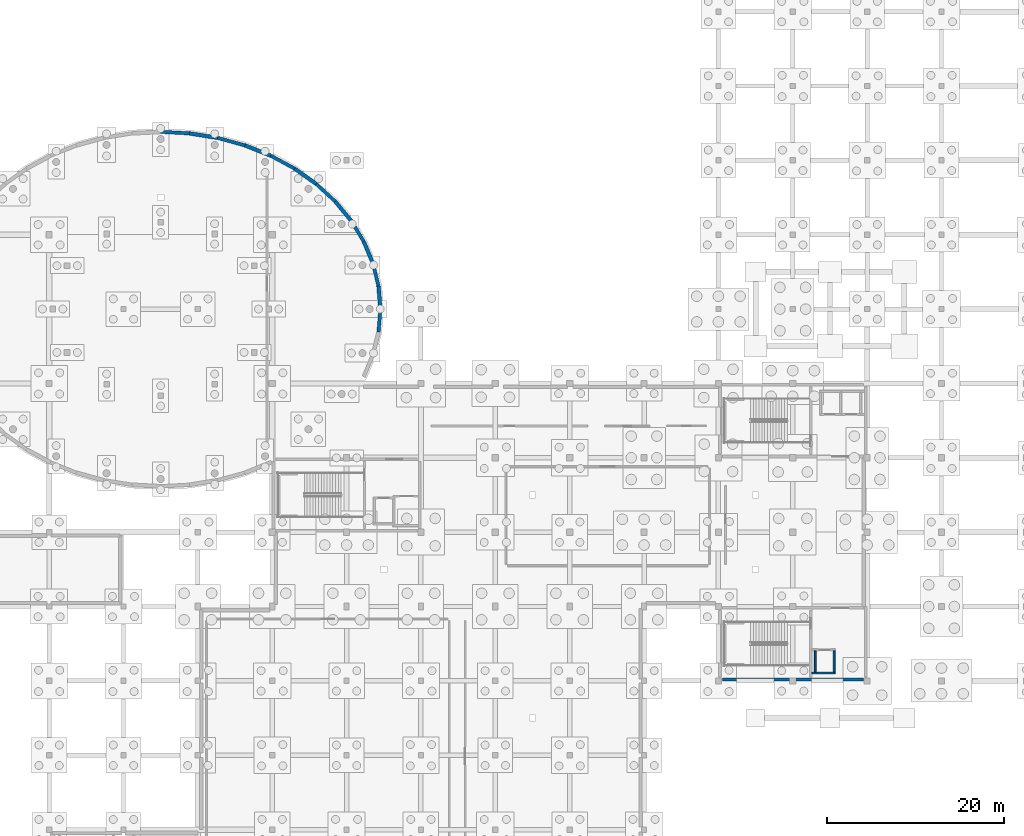
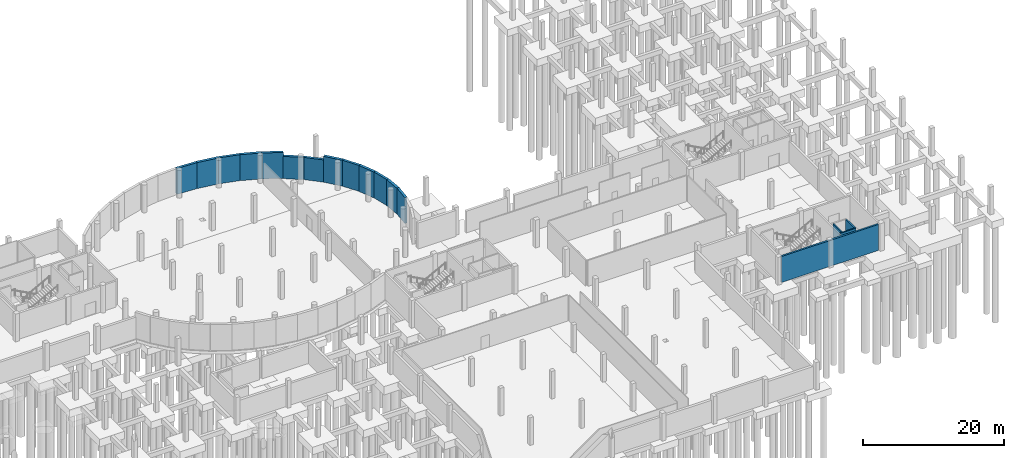
# One storey, part 17 of 24: 17 walls.
"""IFC4 building model written with IfcOpenShell, lengths in metres."""

from ifc_helpers import new_model, si_unit, derived_unit, direction, frame, frame_2d, origin, place, context, subcontext, project, spatial, rectangle, extrude, material, layer, layer_set, type_object, element, save


model = new_model("IFC4")

# Units and contexts
model_context = context("Model", 3, precision=1e-05, world=origin(), true_north=direction((0.0, 1.0)))
body_context = subcontext(model_context, "Body", "Model", "MODEL_VIEW")
ifc_project = project(units=[si_unit("LENGTHUNIT", "METRE"), si_unit("AREAUNIT", "SQUARE_METRE"), si_unit("VOLUMEUNIT", "CUBIC_METRE"), si_unit("PLANEANGLEUNIT", "RADIAN"), si_unit("MASSUNIT", "GRAM", prefix="KILO"), derived_unit("THERMALTRANSMITTANCEUNIT", [(si_unit("POWERUNIT", "WATT"), 1), (si_unit("LENGTHUNIT", "METRE"), -2), (si_unit("THERMODYNAMICTEMPERATUREUNIT", "KELVIN"), -1)])], contexts=[model_context])

# Site, building, storey
site_placement = place(None, origin())
site = spatial("IfcSite", under=ifc_project, at=site_placement, CompositionType="ELEMENT")
building_placement = place(site_placement, origin())
building = spatial("IfcBuilding", under=site, at=building_placement, Name="Elbkamm Science Centre", CompositionType="ELEMENT")
storey_placement = place(building_placement, frame((0.0, 0.0, -4.800048828125)))
storey = spatial("IfcBuildingStorey", under=building, at=storey_placement, Name="B01", CompositionType="ELEMENT", Elevation=-4.800048828125)

# Walls
ifc_material_1 = material(Name="Reinforced concrete C40/50", Category="concrete")
ifc_layer_1 = layer(ifc_material_1, 0.300048828125)
ifc_layer_set_1 = layer_set([ifc_layer_1], Name="Reinforced concrete C40/50")
wall_type_1 = type_object("IfcWallType", Name="WL-CORE-300", PredefinedType="SHEAR", material=ifc_layer_set_1)
wall_1_placement = place(storey_placement, frame((126.449951171875, 25.35009765625, 0.0), z_axis=(0.0, 0.0, 1.0), x_axis=(1.0, 0.0, 0.0)))
element("IfcWall", 1, at=wall_1_placement, inside=storey, type_object=wall_type_1, Name="B01 Core C4 Southeast Workshops and Library Core Shear Wall S", PredefinedType="SHEAR", context=body_context, shape_type="SweptSolid", body=[
    extrude(rectangle(XDim=15.929931640625, YDim=0.300048828125, at=frame_2d((7.96484375, 0.0))), origin(), (0.0, 0.0, 1.0), 4.5),
])
ifc_material_2 = material(Name="Waterproof concrete C35/45", Category="concrete")
ifc_layer_2 = layer(ifc_material_2, 0.3798828125)
ifc_layer_set_2 = layer_set([ifc_layer_2], Name="Waterproof concrete C35/45")
wall_type_2 = type_object("IfcWallType", Name="WL-RET-380", PredefinedType="USERDEFINED", material=ifc_layer_set_2)
wall_2_placement = place(storey_placement, frame((63.0, 87.219482421875, 0.0), z_axis=(0.0, 0.0, 1.0), x_axis=(0.998595559221, -0.052980270896, 0.0)))
element("IfcWall", 2, at=wall_2_placement, inside=storey, type_object=wall_type_2, Name="B01 Exterior Wall 0053", ObjectType="RETAININGWALL", PredefinedType="USERDEFINED", context=body_context, shape_type="SweptSolid", body=[
    extrude(rectangle(XDim=3.25341796875, YDim=0.3798828125, at=frame_2d((1.626708984375, 0.0))), origin(), (0.0, 0.0, 1.0), 4.5),
])
wall_3_placement = place(storey_placement, frame((69.44140625, 86.532958984375, 0.0), z_axis=(0.0, 0.0, 1.0), x_axis=(0.964254212891, -0.264978891466, 0.0)))
element("IfcWall", 3, at=wall_3_placement, inside=storey, type_object=wall_type_2, Name="B01 Exterior Wall 0055", ObjectType="RETAININGWALL", PredefinedType="USERDEFINED", context=body_context, shape_type="SweptSolid", body=[
    extrude(rectangle(XDim=3.1953125, YDim=0.3798828125, at=frame_2d((1.59765625, 0.0))), origin(), (0.0, 0.0, 1.0), 4.5),
])
wall_4_placement = place(storey_placement, frame((75.438720703125, 84.522216796875, 0.0), z_axis=(0.0, 0.0, 1.0), x_axis=(0.879573445019, -0.475763128897, 0.0)))
element("IfcWall", 4, at=wall_4_placement, inside=storey, type_object=wall_type_2, Name="B01 Exterior Wall 0057", ObjectType="RETAININGWALL", PredefinedType="USERDEFINED", context=body_context, shape_type="SweptSolid", body=[
    extrude(rectangle(XDim=3.07080078125, YDim=0.3798828125, at=frame_2d((1.535400390625, 0.0))), origin(), (0.0, 0.0, 1.0), 4.5),
])
wall_5_placement = place(storey_placement, frame((80.579345703125, 81.329345703125, 0.0), z_axis=(0.0, 0.0, 1.0), x_axis=(0.734755157667, -0.678332409872, 0.0)))
element("IfcWall", 5, at=wall_5_placement, inside=storey, type_object=wall_type_2, Name="B01 Exterior Wall 0059", ObjectType="RETAININGWALL", PredefinedType="USERDEFINED", context=body_context, shape_type="SweptSolid", body=[
    extrude(rectangle(XDim=2.90771484375, YDim=0.3798828125, at=frame_2d((1.453857421875, 0.0))), origin(), (0.0, 0.0, 1.0), 3.85009765625),
])
wall_6_placement = place(storey_placement, frame((84.513427734375, 77.17919921875, 0.0), z_axis=(0.0, 0.0, 1.0), x_axis=(0.520248635804, -0.854014845857, 0.0)))
element("IfcWall", 6, at=wall_6_placement, inside=storey, type_object=wall_type_2, Name="B01 Exterior Wall 0061", ObjectType="RETAININGWALL", PredefinedType="USERDEFINED", context=body_context, shape_type="SweptSolid", body=[
    extrude(rectangle(XDim=2.74658203125, YDim=0.3798828125, at=frame_2d((1.373291015625, 0.0))), origin(), (0.0, 0.0, 1.0), 4.5),
])
wall_7_placement = place(storey_placement, frame((86.9794921875, 72.3603515625, 0.0), z_axis=(0.0, 0.0, 1.0), x_axis=(0.238587589833, -0.971120982153, 0.0)))
element("IfcWall", 7, at=wall_7_placement, inside=storey, type_object=wall_type_2, Name="B01 Exterior Wall 0063", ObjectType="RETAININGWALL", PredefinedType="USERDEFINED", context=body_context, shape_type="SweptSolid", body=[
    extrude(rectangle(XDim=2.635009765625, YDim=0.3798828125, at=frame_2d((1.3173828125, 0.0))), origin(), (0.0, 0.0, 1.0), 4.5),
])
wall_8_placement = place(storey_placement, frame((87.81884765625, 67.199951171875, 0.0), z_axis=(0.0, 0.0, 1.0), x_axis=(-0.080722941736, -0.996736578378, 0.0)))
element("IfcWall", 8, at=wall_8_placement, inside=storey, type_object=wall_type_2, Name="B01 Exterior Wall 0065", ObjectType="RETAININGWALL", PredefinedType="USERDEFINED", context=body_context, shape_type="SweptSolid", body=[
    extrude(rectangle(XDim=2.610107421875, YDim=0.3798828125, at=frame_2d((1.30517578125, 0.0))), origin(), (0.0, 0.0, 1.0), 4.5),
])
ifc_layer_3 = layer(ifc_material_2, 0.419921875)
ifc_layer_set_3 = layer_set([ifc_layer_3], Name="Waterproof concrete C35/45")
wall_type_3 = type_object("IfcWallType", Name="WL-RET-420", PredefinedType="USERDEFINED", material=ifc_layer_set_3)
wall_9_placement = place(storey_placement, frame((66.248779296875, 87.047119140625, 0.0), z_axis=(0.0, 0.0, 1.0), x_axis=(0.987278994565, -0.158997443034, 0.0)))
element("IfcWall", 9, at=wall_9_placement, inside=storey, type_object=wall_type_3, Name="B01 Exterior Wall 0054", ObjectType="RETAININGWALL", PredefinedType="USERDEFINED", context=body_context, shape_type="SweptSolid", body=[
    extrude(rectangle(XDim=3.233642578125, YDim=0.419921875, at=frame_2d((1.61669921875, 0.0))), origin(), (0.0, 0.0, 1.0), 4.5),
])
wall_10_placement = place(storey_placement, frame((72.5224609375, 85.686279296875, 0.0), z_axis=(0.0, 0.0, 1.0), x_axis=(0.928744558403, -0.370720305941, 0.0)))
element("IfcWall", 10, at=wall_10_placement, inside=storey, type_object=wall_type_3, Name="B01 Exterior Wall 0056", ObjectType="RETAININGWALL", PredefinedType="USERDEFINED", context=body_context, shape_type="SweptSolid", body=[
    extrude(rectangle(XDim=3.139892578125, YDim=0.419921875, at=frame_2d((1.56982421875, 0.0))), origin(), (0.0, 0.0, 1.0), 4.5),
])
wall_11_placement = place(storey_placement, frame((78.1396484375, 83.061279296875, 0.0), z_axis=(0.0, 0.0, 1.0), x_axis=(0.815422656684, -0.578866038879, 0.0)))
element("IfcWall", 11, at=wall_11_placement, inside=storey, type_object=wall_type_3, Name="B01 Exterior Wall 0058", ObjectType="RETAININGWALL", PredefinedType="USERDEFINED", context=body_context, shape_type="SweptSolid", body=[
    extrude(rectangle(XDim=2.991943359375, YDim=0.419921875, at=frame_2d((1.49609375, 0.0))), origin(), (0.0, 0.0, 1.0), 3.85009765625),
])
wall_12_placement = place(storey_placement, frame((82.7158203125, 79.35693359375, 0.0), z_axis=(0.0, 0.0, 1.0), x_axis=(0.636588707479, -0.771203486448, 0.0)))
element("IfcWall", 12, at=wall_12_placement, inside=storey, type_object=wall_type_3, Name="B01 Exterior Wall 0060", ObjectType="RETAININGWALL", PredefinedType="USERDEFINED", context=body_context, shape_type="SweptSolid", body=[
    extrude(rectangle(XDim=2.82373046875, YDim=0.419921875, at=frame_2d((1.411865234375, 0.0))), origin(), (0.0, 0.0, 1.0), 4.5),
])
wall_13_placement = place(storey_placement, frame((85.9423828125, 74.83349609375, 0.0), z_axis=(0.0, 0.0, 1.0), x_axis=(0.38672168134, -0.922196476453, 0.0)))
element("IfcWall", 13, at=wall_13_placement, inside=storey, type_object=wall_type_3, Name="B01 Exterior Wall 0062", ObjectType="RETAININGWALL", PredefinedType="USERDEFINED", context=body_context, shape_type="SweptSolid", body=[
    extrude(rectangle(XDim=2.681884765625, YDim=0.419921875, at=frame_2d((1.3408203125, 0.0))), origin(), (0.0, 0.0, 1.0), 4.5),
])
wall_14_placement = place(storey_placement, frame((87.608154296875, 69.801513671875, 0.0), z_axis=(0.0, 0.0, 1.0), x_axis=(0.080722941736, -0.996736578378, 0.0)))
element("IfcWall", 14, at=wall_14_placement, inside=storey, type_object=wall_type_3, Name="B01 Exterior Wall 0064", ObjectType="RETAININGWALL", PredefinedType="USERDEFINED", context=body_context, shape_type="SweptSolid", body=[
    extrude(rectangle(XDim=2.610107421875, YDim=0.419921875, at=frame_2d((1.30517578125, 0.0))), origin(), (0.0, 0.0, 1.0), 4.5),
])
ifc_layer_4 = layer(ifc_material_1, 0.219970703125)
ifc_layer_set_4 = layer_set([ifc_layer_4], Name="Reinforced concrete C40/50")
wall_type_4 = type_object("IfcWallType", Name="WL-SHAFT-220", PredefinedType="SOLIDWALL", material=ifc_layer_set_4)
for number, where, z_axis, x_axis, name in (
    (15, (136.93994140625, 26.199951171875, 0.0), (0.0, 0.0, 1.0), (0.0, 1.0, 0.0), "B01 Lift LP3 Shaft West Wall"),
    (16, (139.06005859375, 26.199951171875, 0.0), (0.0, 0.0, 1.0), (0.0, 1.0, 0.0), "B01 Lift LP3 Shaft East Wall"),
):
    element("IfcWall", number, at=place(storey_placement, frame(where, z_axis=z_axis, x_axis=x_axis)), inside=storey, type_object=wall_type_4, Name=name, PredefinedType="SOLIDWALL", context=body_context, shape_type="SweptSolid", body=[
        extrude(rectangle(XDim=2.400146484375, YDim=0.219970703125, at=frame_2d((1.2001953125, 0.0))), origin(), (0.0, 0.0, 1.0), 4.5),
    ])
wall_15_placement = place(storey_placement, frame((136.56005859375, 26.090087890625, 0.0), z_axis=(0.0, 0.0, 1.0), x_axis=(1.0, 0.0, 0.0)))
element("IfcWall", 17, at=wall_15_placement, inside=storey, type_object=wall_type_4, Name="B01 Lift LP3 Shaft Back Wall", PredefinedType="SOLIDWALL", context=body_context, shape_type="SweptSolid", body=[
    extrude(rectangle(XDim=2.60986328125, YDim=0.219970703125, at=frame_2d((1.304931640625, 0.0))), origin(), (0.0, 0.0, 1.0), 4.5),
])

save(model, "model.ifc")
